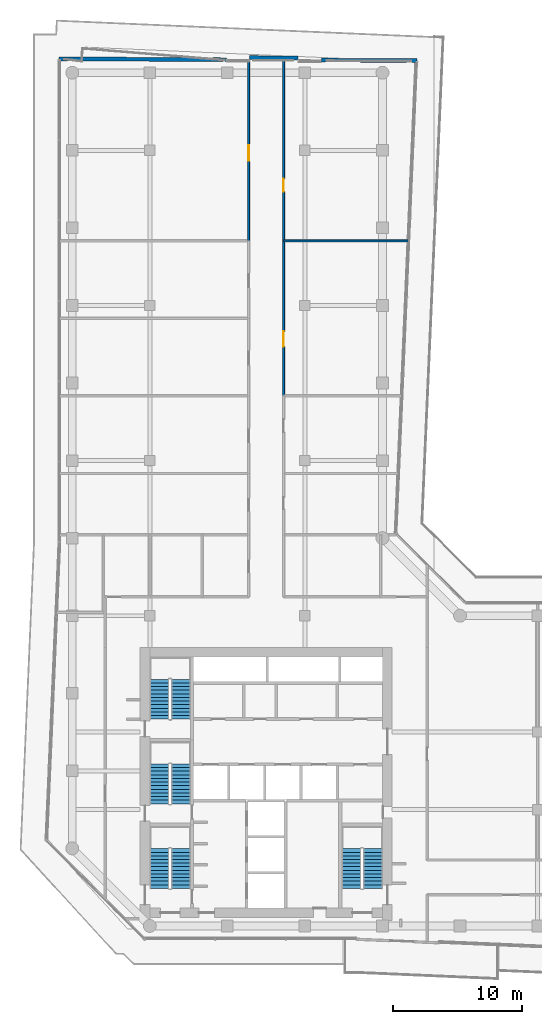
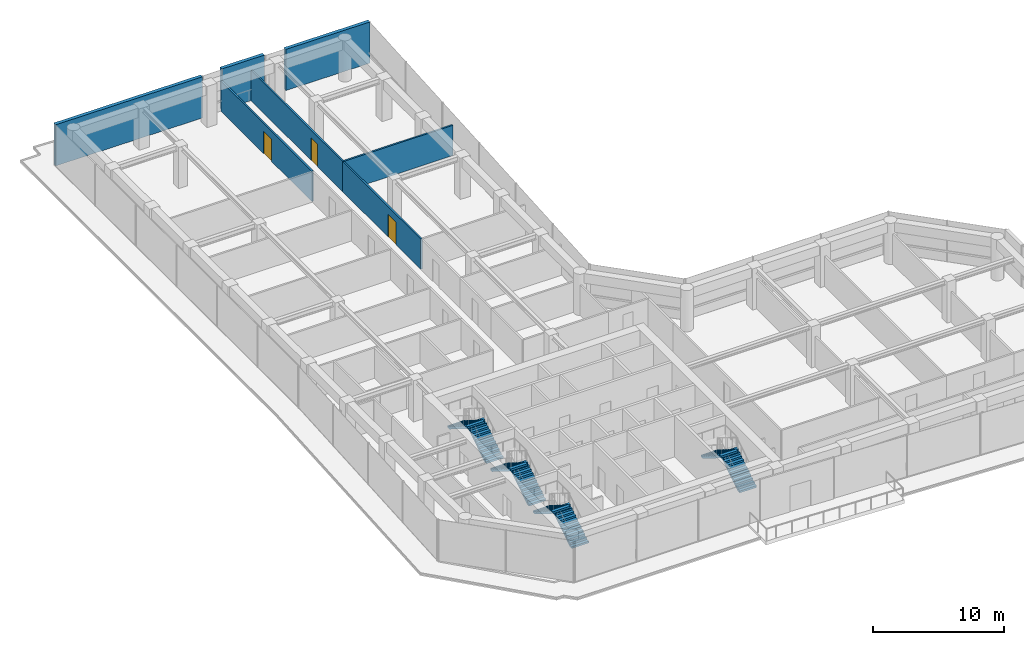
# One storey, part 23 of 25: 8 stair flights, 7 walls, 3 doors, 3 openings, 4 elements without a shape of their own.
"""IFC4 building model written with IfcOpenShell, lengths in metres."""

from ifc_helpers import new_model, si_unit, direction, frame, frame_2d, origin, place, context, subcontext, project, spatial, polyline, rectangle, outline, extrude, material, layer, layer_set, type_object, element, fill, aggregate, save


model = new_model("IFC4")

# Units and contexts
model_context = context("Model", 3, precision=1e-05, world=origin(), true_north=direction((0.0, 1.0)))
body_context = subcontext(model_context, "Body", "Model", "MODEL_VIEW")
ifc_project = project(units=[si_unit("LENGTHUNIT", "METRE"), si_unit("AREAUNIT", "SQUARE_METRE"), si_unit("VOLUMEUNIT", "CUBIC_METRE"), si_unit("PLANEANGLEUNIT", "RADIAN"), si_unit("MASSUNIT", "GRAM", prefix="KILO")], contexts=[model_context])

# Site, building, storey
site_placement = place(None, origin())
site = spatial("IfcSite", under=ifc_project, at=site_placement, CompositionType="ELEMENT")
building_placement = place(site_placement, origin())
building = spatial("IfcBuilding", under=site, at=building_placement, Name="Welwitschia Terrace Campus", CompositionType="ELEMENT")
storey_placement = place(building_placement, frame((0.0, 0.0, 121.39990234375)))
storey = spatial("IfcBuildingStorey", under=building, at=storey_placement, Name="L27", CompositionType="ELEMENT", Elevation=121.39990234375)

# Wall, opening, door
ifc_material_1 = material(Name="Gypsum board on steel studs", Category="steel")
ifc_layer_1 = layer(ifc_material_1, 0.14990234375)
ifc_layer_set_1 = layer_set([ifc_layer_1], Name="Gypsum board on steel studs")
wall_type_1 = type_object("IfcWallType", Name="Corridor partition 150 EI 30", PredefinedType="PARTITIONING", material=ifc_layer_set_1)
wall_1_placement = place(storey_placement, frame((13.64990234375, 57.0, 0.0), z_axis=(0.0, 0.0, 1.0), x_axis=(0.0, 1.0, 0.0)))
wall_1 = element("IfcWall", 1, at=wall_1_placement, inside=storey, type_object=wall_type_1, Name="Partition", PredefinedType="PARTITIONING", context=body_context, shape_type="SweptSolid", body=[
    extrude(rectangle(XDim=13.8955078125, YDim=0.14990234375, at=frame_2d((6.94775390625, 0.0))), origin(), (0.0, 0.0, 1.0), 2.830078125),
])
opening_1_placement = place(wall_1_placement, frame((6.2099609375, 0.0, 0.0)))
opening_1 = element("IfcOpeningElement", 2, at=opening_1_placement, cuts=wall_1, Name="Opening DI12", PredefinedType="OPENING", context=body_context, shape_type="SweptSolid", body=[
    extrude(rectangle(XDim=1.199951171875, YDim=2.10009765625, at=frame_2d((0.60009765625, 1.050048828125))), frame((0.0, 0.0849609375, 0.0), z_axis=(0.0, -1.0, 0.0), x_axis=(1.0, 0.0, 0.0)), (0.0, 0.0, 1.0), 0.169921875),
])
ifc_material_2 = material(Name="Timber veneered door", Category="wood")
door_type_1 = type_object("IfcDoorType", Name="Interior door DI12", OperationType="NOTDEFINED", PredefinedType="DOOR", material=ifc_material_2)
door_1_placement = place(opening_1_placement, origin())
door_1 = element("IfcDoor", 3, at=door_1_placement, inside=storey, type_object=door_type_1, Name="Door L27 588", OperationType="SINGLE_SWING_LEFT", OverallHeight=2.10009765625, OverallWidth=1.199951171875, PredefinedType="DOOR", context=body_context, shape_type="SweptSolid", body=[
    extrude(rectangle(XDim=1.199951171875, YDim=2.10009765625, at=frame_2d((0.60009765625, 1.050048828125))), frame((0.0, 0.02490234375, 0.0), z_axis=(0.0, -1.0, 0.0), x_axis=(1.0, 0.0, 0.0)), (0.0, 0.0, 1.0), 0.050048828125),
])
fill(opening_1, door_1)

wall_2_placement = place(storey_placement, frame((16.35009765625, 57.0, 0.0), z_axis=(0.0, 0.0, 1.0), x_axis=(0.0, -1.0, 0.0)))
wall_2 = element("IfcWall", 4, at=wall_2_placement, inside=storey, type_object=wall_type_1, Name="Partition", PredefinedType="PARTITIONING", context=body_context, shape_type="SweptSolid", body=[
    extrude(rectangle(XDim=12.0, YDim=0.14990234375, at=frame_2d((6.0, 0.0))), origin(), (0.0, 0.0, 1.0), 2.830078125),
])
opening_2_placement = place(wall_2_placement, frame((7.0, 0.0, 0.0)))
opening_2 = element("IfcOpeningElement", 5, at=opening_2_placement, cuts=wall_2, Name="Opening DI12", PredefinedType="OPENING", context=body_context, shape_type="SweptSolid", body=[
    extrude(rectangle(XDim=1.199951171875, YDim=2.10009765625, at=frame_2d((0.60009765625, 1.050048828125))), frame((0.0, 0.0849609375, 0.0), z_axis=(0.0, -1.0, 0.0), x_axis=(1.0, 0.0, 0.0)), (0.0, 0.0, 1.0), 0.169921875),
])
door_2_placement = place(opening_2_placement, origin())
door_2 = element("IfcDoor", 6, at=door_2_placement, inside=storey, type_object=door_type_1, Name="Door L27 591", OperationType="SINGLE_SWING_RIGHT", OverallHeight=2.10009765625, OverallWidth=1.199951171875, PredefinedType="DOOR", context=body_context, shape_type="SweptSolid", body=[
    extrude(rectangle(XDim=1.199951171875, YDim=2.10009765625, at=frame_2d((0.60009765625, 1.050048828125))), frame((0.0, 0.02490234375, 0.0), z_axis=(0.0, -1.0, 0.0), x_axis=(1.0, 0.0, 0.0)), (0.0, 0.0, 1.0), 0.050048828125),
])
fill(opening_2, door_2)

# Wall
wall_3_placement = place(storey_placement, frame((16.35009765625, 57.0, 0.0), z_axis=(0.0, 0.0, 1.0), x_axis=(1.0, 0.0, 0.0)))
element("IfcWall", 7, at=wall_3_placement, inside=storey, type_object=wall_type_1, Name="Partition", PredefinedType="PARTITIONING", context=body_context, shape_type="SweptSolid", body=[
    extrude(rectangle(XDim=9.669921875, YDim=0.14990234375, at=frame_2d((4.8349609375, 0.0))), origin(), (0.0, 0.0, 1.0), 2.830078125),
])

# Wall, opening, door
wall_4_placement = place(storey_placement, frame((16.35009765625, 71.00634765625, 0.0), z_axis=(0.0, 0.0, 1.0), x_axis=(0.0, -1.0, 0.0)))
wall_4 = element("IfcWall", 8, at=wall_4_placement, inside=storey, type_object=wall_type_1, Name="Partition", PredefinedType="PARTITIONING", context=body_context, shape_type="SweptSolid", body=[
    extrude(rectangle(XDim=14.00634765625, YDim=0.14990234375, at=frame_2d((7.003173828125, 0.0))), origin(), (0.0, 0.0, 1.0), 2.830078125),
])
opening_3_placement = place(wall_4_placement, frame((9.206298828125, 0.0, 0.0)))
opening_3 = element("IfcOpeningElement", 9, at=opening_3_placement, cuts=wall_4, Name="Opening DI10", PredefinedType="OPENING", context=body_context, shape_type="SweptSolid", body=[
    extrude(rectangle(XDim=1.0, YDim=2.10009765625, at=frame_2d((0.5, 1.050048828125))), frame((0.0, 0.0849609375, 0.0), z_axis=(0.0, -1.0, 0.0), x_axis=(1.0, 0.0, 0.0)), (0.0, 0.0, 1.0), 0.169921875),
])
ifc_material_3 = material(Name="Timber veneered door", Category="wood")
door_type_2 = type_object("IfcDoorType", Name="Interior door DI10", OperationType="NOTDEFINED", PredefinedType="DOOR", material=ifc_material_3)
door_3_placement = place(opening_3_placement, origin())
door_3 = element("IfcDoor", 10, at=door_3_placement, inside=storey, type_object=door_type_2, Name="Door L27 592", OperationType="SINGLE_SWING_LEFT", OverallHeight=2.10009765625, OverallWidth=1.0, PredefinedType="DOOR", context=body_context, shape_type="SweptSolid", body=[
    extrude(rectangle(XDim=1.0, YDim=2.10009765625, at=frame_2d((0.5, 1.050048828125))), frame((0.0, 0.02490234375, 0.0), z_axis=(0.0, -1.0, 0.0), x_axis=(1.0, 0.0, 0.0)), (0.0, 0.0, 1.0), 0.050048828125),
])
fill(opening_3, door_3)

# Walls
ifc_material_4 = material(Name="Concrete C40/50", Category="concrete")
ifc_layer_2 = layer(ifc_material_4, 0.300048828125)
ifc_layer_set_2 = layer_set([ifc_layer_2], Name="Concrete C40/50")
wall_type_2 = type_object("IfcWallType", Name="Mass wall 300", PredefinedType="SOLIDWALL", material=ifc_layer_set_2)
wall_5_placement = place(storey_placement, frame((26.678955078125, 70.940673828125, 0.0), z_axis=(0.0, 0.0, 1.0), x_axis=(-0.999985941084, 0.005302606433, 0.0)))
element("IfcWall", 11, at=wall_5_placement, inside=storey, type_object=wall_type_2, Name="Mass wall L27.11.0", PredefinedType="SOLIDWALL", context=body_context, shape_type="SweptSolid", body=[
    extrude(rectangle(XDim=7.41259765625, YDim=0.300048828125, at=frame_2d((3.706298828125, 0.0))), origin(), (0.0, 0.0, 1.0), 3.85009765625),
])
wall_6_placement = place(storey_placement, frame((17.46728515625, 71.150390625, 0.0), z_axis=(0.0, 0.0, 1.0), x_axis=(-0.999985686998, 0.005350308387, 0.0)))
element("IfcWall", 12, at=wall_6_placement, inside=storey, type_object=wall_type_2, Name="Mass wall L27.11.1", PredefinedType="SOLIDWALL", context=body_context, shape_type="SweptSolid", body=[
    extrude(rectangle(XDim=3.74169921875, YDim=0.300048828125, at=frame_2d((1.870849609375, 0.0))), origin(), (0.0, 0.0, 1.0), 3.85009765625),
])
wall_7_placement = place(storey_placement, frame((11.924560546875, 71.009521484375, 0.0), z_axis=(0.0, 0.0, 1.0), x_axis=(-0.999985877611, 0.005314562814, 0.0)))
element("IfcWall", 13, at=wall_7_placement, inside=storey, type_object=wall_type_2, Name="Mass wall L27.11.2", PredefinedType="SOLIDWALL", context=body_context, shape_type="SweptSolid", body=[
    extrude(rectangle(XDim=12.95458984375, YDim=0.300048828125, at=frame_2d((6.477294921875, 0.0))), origin(), (0.0, 0.0, 1.0), 3.85009765625),
])

# Stair, stair flights
ifc_material_5 = material(Name="Concrete C40/50", Category="concrete")
stair_type = type_object("IfcStairType", Name="Stair 24R 175 W1500", PredefinedType="HALF_TURN_STAIR", material=ifc_material_5)
stair_1_placement = place(storey_placement, origin())
stair_1 = element("IfcStair", 14, at=stair_1_placement, inside=storey, type_object=stair_type, Name="L27 Exit stair S1", PredefinedType="HALF_TURN_STAIR")
ifc_material_6 = material(Name="Concrete C40/50", Category="concrete")
stair_flight_type = type_object("IfcStairFlightType", Name="Stair flight 24R 175 W1500", PredefinedType="STRAIGHT", material=ifc_material_6)
stair_flight_1_placement = place(storey_placement, frame((8.39990234375, 6.89990234375, 0.0), z_axis=(0.0, 0.0, 1.0), x_axis=(0.0, 1.0, 0.0)))
stair_flight_1 = element("IfcStairFlight", 15, at=stair_flight_1_placement, type_object=stair_flight_type, Name="S1 flight 1", NumberOfRisers=12, NumberOfTreads=11, PredefinedType="STRAIGHT", RiserHeight=0.175, TreadLength=0.28, context=body_context, shape_type="SweptSolid", body=[
    extrude(outline(polyline([(0.0, 0.0), (0.0, 0.175048828125), (0.280029296875, 0.175048828125), (0.280029296875, 0.35009765625), (0.56005859375, 0.35009765625), (0.56005859375, 0.52490234375), (0.840087890625, 0.52490234375), (0.840087890625, 0.699951171875), (1.1201171875, 0.699951171875), (1.1201171875, 0.875), (1.39990234375, 0.875), (1.39990234375, 1.050048828125), (1.679931640625, 1.050048828125), (1.679931640625, 1.22509765625), (1.9599609375, 1.22509765625), (1.9599609375, 1.39990234375), (2.239990234375, 1.39990234375), (2.239990234375, 1.574951171875), (2.52001953125, 1.574951171875), (2.52001953125, 1.75), (2.800048828125, 1.75), (2.800048828125, 1.925048828125), (3.080078125, 1.925048828125), (3.080078125, 2.10009765625), (3.080078125, 1.748291015625), (0.28271484375, 0.0), (0.0, 0.0)])), frame((0.0, 0.75, 0.0), z_axis=(0.0, -1.0, 0.0), x_axis=(1.0, 0.0, 0.0)), (0.0, 0.0, 1.0), 1.5),
])
stair_flight_2_placement = place(storey_placement, frame((6.75, 9.97998046875, 2.10009765625), z_axis=(0.0, 0.0, 1.0), x_axis=(0.0, -1.0, 0.0)))
stair_flight_2 = element("IfcStairFlight", 16, at=stair_flight_2_placement, type_object=stair_flight_type, Name="S1 flight 2", NumberOfRisers=12, NumberOfTreads=11, PredefinedType="STRAIGHT", RiserHeight=0.175, TreadLength=0.28, context=body_context, shape_type="SweptSolid", body=[
    extrude(outline(polyline([(0.0, 0.0), (0.0, 0.175048828125), (0.280029296875, 0.175048828125), (0.280029296875, 0.35009765625), (0.56005859375, 0.35009765625), (0.56005859375, 0.52490234375), (0.840087890625, 0.52490234375), (0.840087890625, 0.699951171875), (1.1201171875, 0.699951171875), (1.1201171875, 0.875), (1.39990234375, 0.875), (1.39990234375, 1.050048828125), (1.679931640625, 1.050048828125), (1.679931640625, 1.22509765625), (1.9599609375, 1.22509765625), (1.9599609375, 1.39990234375), (2.239990234375, 1.39990234375), (2.239990234375, 1.574951171875), (2.52001953125, 1.574951171875), (2.52001953125, 1.75), (2.800048828125, 1.75), (2.800048828125, 1.925048828125), (3.080078125, 1.925048828125), (3.080078125, 2.10009765625), (3.080078125, 1.748291015625), (0.28271484375, 0.0), (0.0, 0.0)])), frame((0.0, 0.75, 0.0), z_axis=(0.0, -1.0, 0.0), x_axis=(1.0, 0.0, 0.0)), (0.0, 0.0, 1.0), 1.5),
])
aggregate(stair_1, [stair_flight_1, stair_flight_2])

stair_2_placement = place(storey_placement, origin())
stair_2 = element("IfcStair", 17, at=stair_2_placement, inside=storey, type_object=stair_type, Name="L27 Exit stair S3", PredefinedType="HALF_TURN_STAIR")
stair_flight_3_placement = place(storey_placement, frame((8.39990234375, 13.449951171875, 0.0), z_axis=(0.0, 0.0, 1.0), x_axis=(0.0, 1.0, 0.0)))
stair_flight_3 = element("IfcStairFlight", 18, at=stair_flight_3_placement, type_object=stair_flight_type, Name="S3 flight 1", NumberOfRisers=12, NumberOfTreads=11, PredefinedType="STRAIGHT", RiserHeight=0.175, TreadLength=0.28, context=body_context, shape_type="SweptSolid", body=[
    extrude(outline(polyline([(0.0, 0.0), (0.0, 0.175048828125), (0.280029296875, 0.175048828125), (0.280029296875, 0.35009765625), (0.56005859375, 0.35009765625), (0.56005859375, 0.52490234375), (0.840087890625, 0.52490234375), (0.840087890625, 0.699951171875), (1.1201171875, 0.699951171875), (1.1201171875, 0.875), (1.39990234375, 0.875), (1.39990234375, 1.050048828125), (1.679931640625, 1.050048828125), (1.679931640625, 1.22509765625), (1.9599609375, 1.22509765625), (1.9599609375, 1.39990234375), (2.239990234375, 1.39990234375), (2.239990234375, 1.574951171875), (2.52001953125, 1.574951171875), (2.52001953125, 1.75), (2.800048828125, 1.75), (2.800048828125, 1.925048828125), (3.080078125, 1.925048828125), (3.080078125, 2.10009765625), (3.080078125, 1.748291015625), (0.28271484375, 0.0), (0.0, 0.0)])), frame((0.0, 0.75, 0.0), z_axis=(0.0, -1.0, 0.0), x_axis=(1.0, 0.0, 0.0)), (0.0, 0.0, 1.0), 1.5),
])
stair_flight_4_placement = place(storey_placement, frame((6.75, 16.530029296875, 2.10009765625), z_axis=(0.0, 0.0, 1.0), x_axis=(0.0, -1.0, 0.0)))
stair_flight_4 = element("IfcStairFlight", 19, at=stair_flight_4_placement, type_object=stair_flight_type, Name="S3 flight 2", NumberOfRisers=12, NumberOfTreads=11, PredefinedType="STRAIGHT", RiserHeight=0.175, TreadLength=0.28, context=body_context, shape_type="SweptSolid", body=[
    extrude(outline(polyline([(0.0, 0.0), (0.0, 0.175048828125), (0.280029296875, 0.175048828125), (0.280029296875, 0.35009765625), (0.56005859375, 0.35009765625), (0.56005859375, 0.52490234375), (0.840087890625, 0.52490234375), (0.840087890625, 0.699951171875), (1.1201171875, 0.699951171875), (1.1201171875, 0.875), (1.39990234375, 0.875), (1.39990234375, 1.050048828125), (1.679931640625, 1.050048828125), (1.679931640625, 1.22509765625), (1.9599609375, 1.22509765625), (1.9599609375, 1.39990234375), (2.239990234375, 1.39990234375), (2.239990234375, 1.574951171875), (2.52001953125, 1.574951171875), (2.52001953125, 1.75), (2.800048828125, 1.75), (2.800048828125, 1.925048828125), (3.080078125, 1.925048828125), (3.080078125, 2.10009765625), (3.080078125, 1.748291015625), (0.28271484375, 0.0), (0.0, 0.0)])), frame((0.0, 0.75, 0.0), z_axis=(0.0, -1.0, 0.0), x_axis=(1.0, 0.0, 0.0)), (0.0, 0.0, 1.0), 1.5),
])
aggregate(stair_2, [stair_flight_3, stair_flight_4])

stair_3_placement = place(storey_placement, origin())
stair_3 = element("IfcStair", 20, at=stair_3_placement, inside=storey, type_object=stair_type, Name="L27 Exit stair S4", PredefinedType="HALF_TURN_STAIR")
stair_flight_5_placement = place(storey_placement, frame((8.39990234375, 20.0, 0.0), z_axis=(0.0, 0.0, 1.0), x_axis=(0.0, 1.0, 0.0)))
stair_flight_5 = element("IfcStairFlight", 21, at=stair_flight_5_placement, type_object=stair_flight_type, Name="S4 flight 1", NumberOfRisers=12, NumberOfTreads=11, PredefinedType="STRAIGHT", RiserHeight=0.175, TreadLength=0.28, context=body_context, shape_type="SweptSolid", body=[
    extrude(outline(polyline([(0.0, 0.0), (0.0, 0.175048828125), (0.280029296875, 0.175048828125), (0.280029296875, 0.35009765625), (0.56005859375, 0.35009765625), (0.56005859375, 0.52490234375), (0.840087890625, 0.52490234375), (0.840087890625, 0.699951171875), (1.1201171875, 0.699951171875), (1.1201171875, 0.875), (1.39990234375, 0.875), (1.39990234375, 1.050048828125), (1.679931640625, 1.050048828125), (1.679931640625, 1.22509765625), (1.9599609375, 1.22509765625), (1.9599609375, 1.39990234375), (2.239990234375, 1.39990234375), (2.239990234375, 1.574951171875), (2.52001953125, 1.574951171875), (2.52001953125, 1.75), (2.800048828125, 1.75), (2.800048828125, 1.925048828125), (3.080078125, 1.925048828125), (3.080078125, 2.10009765625), (3.080078125, 1.748291015625), (0.28271484375, 0.0), (0.0, 0.0)])), frame((0.0, 0.75, 0.0), z_axis=(0.0, -1.0, 0.0), x_axis=(1.0, 0.0, 0.0)), (0.0, 0.0, 1.0), 1.5),
])
stair_flight_6_placement = place(storey_placement, frame((6.75, 23.080078125, 2.10009765625), z_axis=(0.0, 0.0, 1.0), x_axis=(0.0, -1.0, 0.0)))
stair_flight_6 = element("IfcStairFlight", 22, at=stair_flight_6_placement, type_object=stair_flight_type, Name="S4 flight 2", NumberOfRisers=12, NumberOfTreads=11, PredefinedType="STRAIGHT", RiserHeight=0.175, TreadLength=0.28, context=body_context, shape_type="SweptSolid", body=[
    extrude(outline(polyline([(0.0, 0.0), (0.0, 0.175048828125), (0.280029296875, 0.175048828125), (0.280029296875, 0.35009765625), (0.56005859375, 0.35009765625), (0.56005859375, 0.52490234375), (0.840087890625, 0.52490234375), (0.840087890625, 0.699951171875), (1.1201171875, 0.699951171875), (1.1201171875, 0.875), (1.39990234375, 0.875), (1.39990234375, 1.050048828125), (1.679931640625, 1.050048828125), (1.679931640625, 1.22509765625), (1.9599609375, 1.22509765625), (1.9599609375, 1.39990234375), (2.239990234375, 1.39990234375), (2.239990234375, 1.574951171875), (2.52001953125, 1.574951171875), (2.52001953125, 1.75), (2.800048828125, 1.75), (2.800048828125, 1.925048828125), (3.080078125, 1.925048828125), (3.080078125, 2.10009765625), (3.080078125, 1.748291015625), (0.28271484375, 0.0), (0.0, 0.0)])), frame((0.0, 0.75, 0.0), z_axis=(0.0, -1.0, 0.0), x_axis=(1.0, 0.0, 0.0)), (0.0, 0.0, 1.0), 1.5),
])
aggregate(stair_3, [stair_flight_5, stair_flight_6])

stair_4_placement = place(storey_placement, origin())
stair_4 = element("IfcStair", 23, at=stair_4_placement, inside=storey, type_object=stair_type, Name="L27 Exit stair S2", PredefinedType="HALF_TURN_STAIR")
stair_flight_7_placement = place(storey_placement, frame((23.25, 6.89990234375, 0.0), z_axis=(0.0, 0.0, 1.0), x_axis=(0.0, 1.0, 0.0)))
stair_flight_7 = element("IfcStairFlight", 24, at=stair_flight_7_placement, type_object=stair_flight_type, Name="S2 flight 1", NumberOfRisers=12, NumberOfTreads=11, PredefinedType="STRAIGHT", RiserHeight=0.175, TreadLength=0.28, context=body_context, shape_type="SweptSolid", body=[
    extrude(outline(polyline([(0.0, 0.0), (0.0, 0.175048828125), (0.280029296875, 0.175048828125), (0.280029296875, 0.35009765625), (0.56005859375, 0.35009765625), (0.56005859375, 0.52490234375), (0.840087890625, 0.52490234375), (0.840087890625, 0.699951171875), (1.1201171875, 0.699951171875), (1.1201171875, 0.875), (1.39990234375, 0.875), (1.39990234375, 1.050048828125), (1.679931640625, 1.050048828125), (1.679931640625, 1.22509765625), (1.9599609375, 1.22509765625), (1.9599609375, 1.39990234375), (2.239990234375, 1.39990234375), (2.239990234375, 1.574951171875), (2.52001953125, 1.574951171875), (2.52001953125, 1.75), (2.800048828125, 1.75), (2.800048828125, 1.925048828125), (3.080078125, 1.925048828125), (3.080078125, 2.10009765625), (3.080078125, 1.748291015625), (0.28271484375, 0.0), (0.0, 0.0)])), frame((0.0, 0.75, 0.0), z_axis=(0.0, -1.0, 0.0), x_axis=(1.0, 0.0, 0.0)), (0.0, 0.0, 1.0), 1.5),
])
stair_flight_8_placement = place(storey_placement, frame((21.60009765625, 9.97998046875, 2.10009765625), z_axis=(0.0, 0.0, 1.0), x_axis=(0.0, -1.0, 0.0)))
stair_flight_8 = element("IfcStairFlight", 25, at=stair_flight_8_placement, type_object=stair_flight_type, Name="S2 flight 2", NumberOfRisers=12, NumberOfTreads=11, PredefinedType="STRAIGHT", RiserHeight=0.175, TreadLength=0.28, context=body_context, shape_type="SweptSolid", body=[
    extrude(outline(polyline([(0.0, 0.0), (0.0, 0.175048828125), (0.280029296875, 0.175048828125), (0.280029296875, 0.35009765625), (0.56005859375, 0.35009765625), (0.56005859375, 0.52490234375), (0.840087890625, 0.52490234375), (0.840087890625, 0.699951171875), (1.1201171875, 0.699951171875), (1.1201171875, 0.875), (1.39990234375, 0.875), (1.39990234375, 1.050048828125), (1.679931640625, 1.050048828125), (1.679931640625, 1.22509765625), (1.9599609375, 1.22509765625), (1.9599609375, 1.39990234375), (2.239990234375, 1.39990234375), (2.239990234375, 1.574951171875), (2.52001953125, 1.574951171875), (2.52001953125, 1.75), (2.800048828125, 1.75), (2.800048828125, 1.925048828125), (3.080078125, 1.925048828125), (3.080078125, 2.10009765625), (3.080078125, 1.748291015625), (0.28271484375, 0.0), (0.0, 0.0)])), frame((0.0, 0.75, 0.0), z_axis=(0.0, -1.0, 0.0), x_axis=(1.0, 0.0, 0.0)), (0.0, 0.0, 1.0), 1.5),
])
aggregate(stair_4, [stair_flight_7, stair_flight_8])

save(model, "model.ifc")
